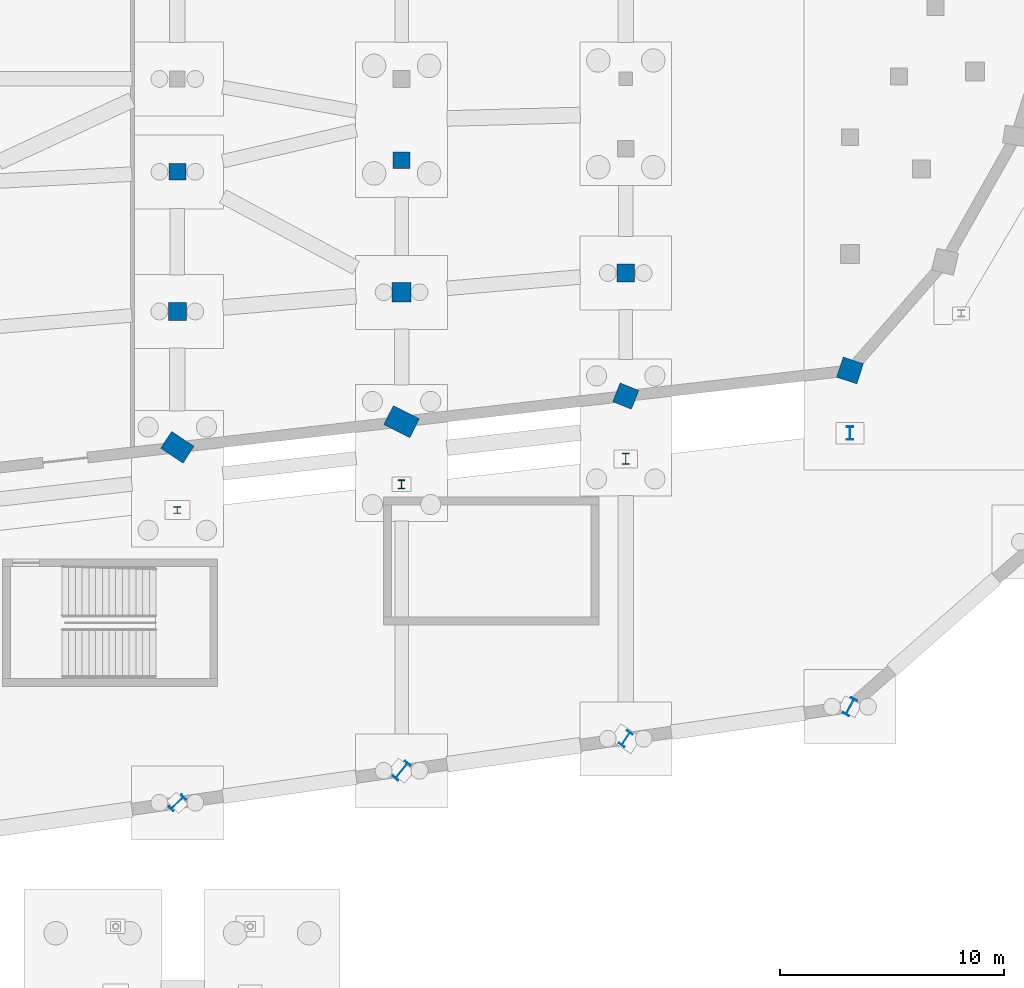
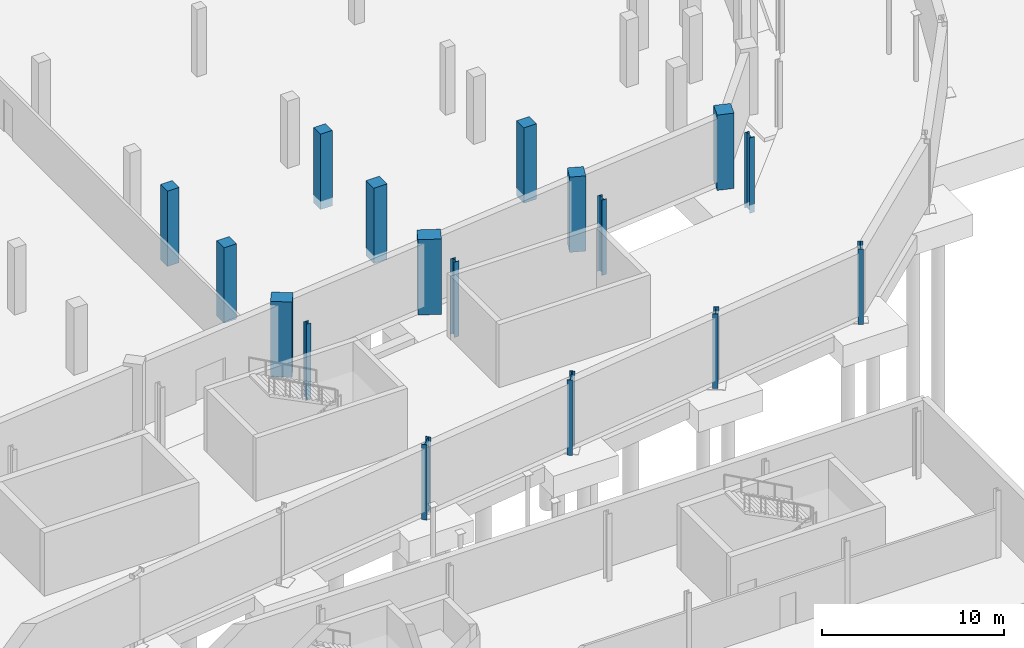
# One storey, part 26 of 55: 17 columns.
"""IFC4 building model written with IfcOpenShell, lengths in metres."""

from ifc_helpers import new_model, si_unit, direction, frame, origin, origin_2d, place, context, subcontext, project, spatial, rectangle, i_section, extrude, material, material_profile, profile_set, type_object, element, save


model = new_model("IFC4")

# Units and contexts
model_context = context("Model", 3, precision=1e-05, world=origin(), true_north=direction((0.0, 1.0)))
body_context = subcontext(model_context, "Body", "Model", "MODEL_VIEW")
ifc_project = project(units=[si_unit("LENGTHUNIT", "METRE"), si_unit("AREAUNIT", "SQUARE_METRE"), si_unit("VOLUMEUNIT", "CUBIC_METRE"), si_unit("PLANEANGLEUNIT", "RADIAN"), si_unit("MASSUNIT", "GRAM", prefix="KILO")], contexts=[model_context])

# Site, building, storey
site_placement = place(None, origin())
site = spatial("IfcSite", under=ifc_project, at=site_placement, CompositionType="ELEMENT")
building_placement = place(site_placement, origin())
building = spatial("IfcBuilding", under=site, at=building_placement, Name="Sohan Crest Arena", CompositionType="ELEMENT")
storey_placement = place(building_placement, frame((0.0, 0.0, -4.5)))
storey = spatial("IfcBuildingStorey", under=building, at=storey_placement, Name="B1", CompositionType="ELEMENT", Elevation=-4.5)

# Columns
ifc_material_1 = material(Name="Concrete C40/50", Category="concrete")
ifc_material_profile_1 = material_profile(ifc_material_1, rectangle(XDim=0.75, YDim=0.75, at=origin_2d()), Name="RC 750x750")
ifc_profile_set_1 = profile_set([ifc_material_profile_1], Name="Concrete C40/50")
column_type_1 = type_object("IfcColumnType", Name="STR-COL-C04", PredefinedType="COLUMN", material=ifc_profile_set_1)
for number, where, z_axis, x_axis, name in (
    (1, (138.0, 63.85693359375, -0.550048828125), (0.0, 0.0, 1.0), (1.0, 0.0, 0.0), "Structural column COL-V1I-17-B1"),
    (2, (148.0, 64.37109375, -0.550048828125), (0.0, 0.0, 1.0), (1.0, 0.0, 0.0), "Structural column COL-V1I-18-B1"),
):
    element("IfcColumn", number, at=place(storey_placement, frame(where, z_axis=z_axis, x_axis=x_axis)), inside=storey, type_object=column_type_1, Name=name, PredefinedType="COLUMN", context=body_context, shape_type="SweptSolid", body=[
        extrude(rectangle(XDim=0.75, YDim=0.75, at=origin_2d()), origin(), (0.0, 0.0, 1.0), 5.050048828125),
    ])
ifc_material_profile_2 = material_profile(ifc_material_1, rectangle(XDim=0.800048828125, YDim=0.800048828125, at=origin_2d()), Name="RC 800x800")
ifc_profile_set_2 = profile_set([ifc_material_profile_2], Name="Concrete C40/50")
column_type_2 = type_object("IfcColumnType", Name="STR-COL-C05", PredefinedType="COLUMN", material=ifc_profile_set_2)
for number, where, z_axis, x_axis, name in (
    (3, (138.0, 57.62890625, -0.550048828125), (0.0, 0.0, 1.0), (1.0, 0.0, 0.0), "Structural column COL-V1M-17-B1"),
    (4, (158.0, 59.343017578125, -0.550048828125), (0.0, 0.0, 1.0), (1.0, 0.0, 0.0), "Structural column COL-V1M-19-B1"),
):
    element("IfcColumn", number, at=place(storey_placement, frame(where, z_axis=z_axis, x_axis=x_axis)), inside=storey, type_object=column_type_2, Name=name, PredefinedType="COLUMN", context=body_context, shape_type="SweptSolid", body=[
        extrude(rectangle(XDim=0.800048828125, YDim=0.800048828125, at=origin_2d()), origin(), (0.0, 0.0, 1.0), 5.050048828125),
    ])
ifc_material_profile_3 = material_profile(ifc_material_1, rectangle(XDim=0.85009765625, YDim=0.85009765625, at=origin_2d()), Name="RC 850x850")
ifc_profile_set_3 = profile_set([ifc_material_profile_3], Name="Concrete C40/50")
column_type_3 = type_object("IfcColumnType", Name="STR-COL-C06", PredefinedType="COLUMN", material=ifc_profile_set_3)
column_1_placement = place(storey_placement, frame((148.0, 58.486083984375, -0.550048828125), z_axis=(0.0, 0.0, 1.0), x_axis=(1.0, 0.0, 0.0)))
element("IfcColumn", 5, at=column_1_placement, inside=storey, type_object=column_type_3, Name="Structural column COL-V1M-18-B1", PredefinedType="COLUMN", context=body_context, shape_type="SweptSolid", body=[
    extrude(rectangle(XDim=0.85009765625, YDim=0.85009765625, at=origin_2d()), origin(), (0.0, 0.0, 1.0), 5.050048828125),
])
ifc_material_profile_4 = material_profile(ifc_material_1, rectangle(XDim=0.89990234375, YDim=0.89990234375, at=origin_2d()), Name="RC 900x900")
ifc_profile_set_4 = profile_set([ifc_material_profile_4], Name="Concrete C40/50")
column_type_4 = type_object("IfcColumnType", Name="STR-COL-C07", PredefinedType="COLUMN", material=ifc_profile_set_4)
column_2_placement = place(storey_placement, frame((158.0, 53.85693359375, -0.550048828125), z_axis=(0.0, 0.0, 1.0), x_axis=(-0.927836253899, 0.372987782576, 0.0)))
element("IfcColumn", 6, at=column_2_placement, inside=storey, type_object=column_type_4, Name="Structural column COL-V1R-19-B1", PredefinedType="COLUMN", context=body_context, shape_type="SweptSolid", body=[
    extrude(rectangle(XDim=0.89990234375, YDim=0.89990234375, at=origin_2d()), origin(), (0.0, 0.0, 1.0), 5.050048828125),
])
ifc_material_profile_5 = material_profile(ifc_material_1, rectangle(XDim=0.949951171875, YDim=0.949951171875, at=origin_2d()), Name="RC 950x950")
ifc_profile_set_5 = profile_set([ifc_material_profile_5], Name="Concrete C40/50")
column_type_5 = type_object("IfcColumnType", Name="STR-COL-C08", PredefinedType="COLUMN", material=ifc_profile_set_5)
column_3_placement = place(storey_placement, frame((168.0, 55.0, -0.550048828125), z_axis=(0.0, 0.0, 1.0), x_axis=(-0.949972051525, 0.312334918512, 0.0)))
element("IfcColumn", 7, at=column_3_placement, inside=storey, type_object=column_type_5, Name="Structural column COL-V1R-20-B1", PredefinedType="COLUMN", context=body_context, shape_type="SweptSolid", body=[
    extrude(rectangle(XDim=0.949951171875, YDim=0.949951171875, at=origin_2d()), origin(), (0.0, 0.0, 1.0), 5.050048828125),
])
ifc_material_profile_6 = material_profile(ifc_material_1, rectangle(XDim=1.199951171875, YDim=0.89990234375, at=origin_2d()), Name="RC 1200x900")
ifc_profile_set_6 = profile_set([ifc_material_profile_6], Name="Concrete C40/50")
column_type_6 = type_object("IfcColumnType", Name="STR-COL-C11", PredefinedType="COLUMN", material=ifc_profile_set_6)
column_4_placement = place(storey_placement, frame((138.0, 51.571044921875, -0.550048828125), z_axis=(0.0, 0.0, 1.0), x_axis=(-0.833885822067, 0.551936985312, 0.0)))
element("IfcColumn", 8, at=column_4_placement, inside=storey, type_object=column_type_6, Name="Structural column COL-V1R-17-B1", PredefinedType="COLUMN", context=body_context, shape_type="SweptSolid", body=[
    extrude(rectangle(XDim=1.199951171875, YDim=0.89990234375, at=origin_2d()), origin(), (0.0, 0.0, 1.0), 5.050048828125),
])
ifc_material_profile_7 = material_profile(ifc_material_1, rectangle(XDim=1.300048828125, YDim=0.949951171875, at=origin_2d()), Name="RC 1300x950")
ifc_profile_set_7 = profile_set([ifc_material_profile_7], Name="Concrete C40/50")
column_type_7 = type_object("IfcColumnType", Name="STR-COL-C12", PredefinedType="COLUMN", material=ifc_profile_set_7)
column_5_placement = place(storey_placement, frame((148.0, 52.714111328125, -0.550048828125), z_axis=(0.0, 0.0, 1.0), x_axis=(-0.892585818452, 0.450877540689, 0.0)))
element("IfcColumn", 9, at=column_5_placement, inside=storey, type_object=column_type_7, Name="Structural column COL-V1R-18-B1", PredefinedType="COLUMN", context=body_context, shape_type="SweptSolid", body=[
    extrude(rectangle(XDim=1.300048828125, YDim=0.949951171875, at=origin_2d()), origin(), (0.0, 0.0, 1.0), 5.050048828125),
])
ifc_material_2 = material(Name="Steel S355", Category="steel")
ifc_material_profile_8 = material_profile(ifc_material_2, i_section(OverallWidth=0.300048828125, OverallDepth=0.300048828125, WebThickness=0.010986328125, FlangeThickness=0.01904296875, at=origin_2d()), Name="HEB 300")
ifc_profile_set_8 = profile_set([ifc_material_profile_8], Name="Steel S355")
column_type_8 = type_object("IfcColumnType", Name="STR-COL-C17", PredefinedType="COLUMN", material=ifc_profile_set_8)
column_6_placement = place(storey_placement, frame((138.0, 48.77099609375, -0.550048828125), z_axis=(0.0, 0.0, 1.0), x_axis=(1.0, 0.0, 0.0)))
element("IfcColumn", 10, at=column_6_placement, inside=storey, type_object=column_type_8, Name="Structural column COL-V2I-17-B1", PredefinedType="COLUMN", context=body_context, shape_type="SweptSolid", body=[
    extrude(i_section(OverallWidth=0.300048828125, OverallDepth=0.300048828125, WebThickness=0.010986328125, FlangeThickness=0.01904296875, at=origin_2d()), origin(), (0.0, 0.0, 1.0), 5.050048828125),
])
ifc_material_profile_9 = material_profile(ifc_material_2, i_section(OverallWidth=0.300048828125, OverallDepth=0.39990234375, WebThickness=0.013427734375, FlangeThickness=0.02392578125, at=origin_2d()), Name="HEB 400")
ifc_profile_set_9 = profile_set([ifc_material_profile_9], Name="Steel S355")
column_type_9 = type_object("IfcColumnType", Name="STR-COL-C18", PredefinedType="COLUMN", material=ifc_profile_set_9)
column_7_placement = place(storey_placement, frame((148.0, 49.9140625, -0.550048828125), z_axis=(0.0, 0.0, 1.0), x_axis=(1.0, 0.0, 0.0)))
element("IfcColumn", 11, at=column_7_placement, inside=storey, type_object=column_type_9, Name="Structural column COL-V2I-18-B1", PredefinedType="COLUMN", context=body_context, shape_type="SweptSolid", body=[
    extrude(i_section(OverallWidth=0.300048828125, OverallDepth=0.39990234375, WebThickness=0.013427734375, FlangeThickness=0.02392578125, at=origin_2d()), origin(), (0.0, 0.0, 1.0), 5.050048828125),
])
ifc_material_profile_10 = material_profile(ifc_material_2, i_section(OverallWidth=0.300048828125, OverallDepth=0.5, WebThickness=0.014404296875, FlangeThickness=0.028076171875, at=origin_2d()), Name="HEB 500")
ifc_profile_set_10 = profile_set([ifc_material_profile_10], Name="Steel S355")
column_type_10 = type_object("IfcColumnType", Name="STR-COL-C19", PredefinedType="COLUMN", material=ifc_profile_set_10)
column_8_placement = place(storey_placement, frame((158.0, 51.056884765625, -0.550048828125), z_axis=(0.0, 0.0, 1.0), x_axis=(1.0, 0.0, 0.0)))
element("IfcColumn", 12, at=column_8_placement, inside=storey, type_object=column_type_10, Name="Structural column COL-V2I-19-B1", PredefinedType="COLUMN", context=body_context, shape_type="SweptSolid", body=[
    extrude(i_section(OverallWidth=0.300048828125, OverallDepth=0.5, WebThickness=0.014404296875, FlangeThickness=0.028076171875, at=origin_2d()), origin(), (0.0, 0.0, 1.0), 5.050048828125),
])
ifc_material_profile_11 = material_profile(ifc_material_2, i_section(OverallWidth=0.300048828125, OverallDepth=0.60009765625, WebThickness=0.015380859375, FlangeThickness=0.030029296875, at=origin_2d()), Name="HEB 600")
ifc_profile_set_11 = profile_set([ifc_material_profile_11], Name="Steel S355")
column_type_11 = type_object("IfcColumnType", Name="STR-COL-C20", PredefinedType="COLUMN", material=ifc_profile_set_11)
column_9_placement = place(storey_placement, frame((168.0, 52.199951171875, -0.550048828125), z_axis=(0.0, 0.0, 1.0), x_axis=(1.0, 0.0, 0.0)))
element("IfcColumn", 13, at=column_9_placement, inside=storey, type_object=column_type_11, Name="Structural column COL-V2I-20-B1", PredefinedType="COLUMN", context=body_context, shape_type="SweptSolid", body=[
    extrude(i_section(OverallWidth=0.300048828125, OverallDepth=0.60009765625, WebThickness=0.015380859375, FlangeThickness=0.030029296875, at=origin_2d()), origin(), (0.0, 0.0, 1.0), 5.050048828125),
])
ifc_material_profile_12 = material_profile(ifc_material_2, i_section(OverallWidth=0.300048828125, OverallDepth=0.699951171875, WebThickness=0.01708984375, FlangeThickness=0.031982421875, at=origin_2d()), Name="HEB 700")
ifc_profile_set_12 = profile_set([ifc_material_profile_12], Name="Steel S355")
column_type_12 = type_object("IfcColumnType", Name="STR-COL-C21", PredefinedType="COLUMN", material=ifc_profile_set_12)
column_10_placement = place(storey_placement, frame((158.0, 38.571044921875, -0.550048828125), z_axis=(0.0, 0.0, 1.0), x_axis=(-0.835807361368, 0.549022817998, 0.0)))
element("IfcColumn", 14, at=column_10_placement, inside=storey, type_object=column_type_12, Name="Structural column COL-V2O-19-B1", PredefinedType="COLUMN", context=body_context, shape_type="SweptSolid", body=[
    extrude(i_section(OverallWidth=0.300048828125, OverallDepth=0.699951171875, WebThickness=0.01708984375, FlangeThickness=0.031982421875, at=origin_2d()), origin(), (0.0, 0.0, 1.0), 5.050048828125),
])
ifc_material_profile_13 = material_profile(ifc_material_2, i_section(OverallWidth=0.300048828125, OverallDepth=0.800048828125, WebThickness=0.017578125, FlangeThickness=0.032958984375, at=origin_2d()), Name="HEB 800")
ifc_profile_set_13 = profile_set([ifc_material_profile_13], Name="Steel S355")
column_type_13 = type_object("IfcColumnType", Name="STR-COL-C22", PredefinedType="COLUMN", material=ifc_profile_set_13)
for number, where, z_axis, x_axis, name in (
    (15, (138.0, 35.714111328125, -0.550048828125), (0.0, 0.0, 1.0), (-0.687087510804, 0.726574670971, 0.0), "Structural column COL-V2O-17-B1"),
    (16, (168.0, 40.0, -0.550048828125), (0.0, 0.0, 1.0), (-0.878817112662, 0.47715876026, 0.0), "Structural column COL-V2O-20-B1"),
):
    element("IfcColumn", number, at=place(storey_placement, frame(where, z_axis=z_axis, x_axis=x_axis)), inside=storey, type_object=column_type_13, Name=name, PredefinedType="COLUMN", context=body_context, shape_type="SweptSolid", body=[
        extrude(i_section(OverallWidth=0.300048828125, OverallDepth=0.800048828125, WebThickness=0.017578125, FlangeThickness=0.032958984375, at=origin_2d()), origin(), (0.0, 0.0, 1.0), 5.050048828125),
    ])
ifc_material_profile_14 = material_profile(ifc_material_2, i_section(OverallWidth=0.300048828125, OverallDepth=0.89990234375, WebThickness=0.0185546875, FlangeThickness=0.034912109375, at=origin_2d()), Name="HEB 900")
ifc_profile_set_14 = profile_set([ifc_material_profile_14], Name="Steel S355")
column_type_14 = type_object("IfcColumnType", Name="STR-COL-C23", PredefinedType="COLUMN", material=ifc_profile_set_14)
column_11_placement = place(storey_placement, frame((148.0, 37.14306640625, -0.550048828125), z_axis=(0.0, 0.0, 1.0), x_axis=(-0.773840209727, 0.633380872628, 0.0)))
element("IfcColumn", 17, at=column_11_placement, inside=storey, type_object=column_type_14, Name="Structural column COL-V2O-18-B1", PredefinedType="COLUMN", context=body_context, shape_type="SweptSolid", body=[
    extrude(i_section(OverallWidth=0.300048828125, OverallDepth=0.89990234375, WebThickness=0.0185546875, FlangeThickness=0.034912109375, at=origin_2d()), origin(), (0.0, 0.0, 1.0), 5.050048828125),
])

save(model, "model.ifc")
